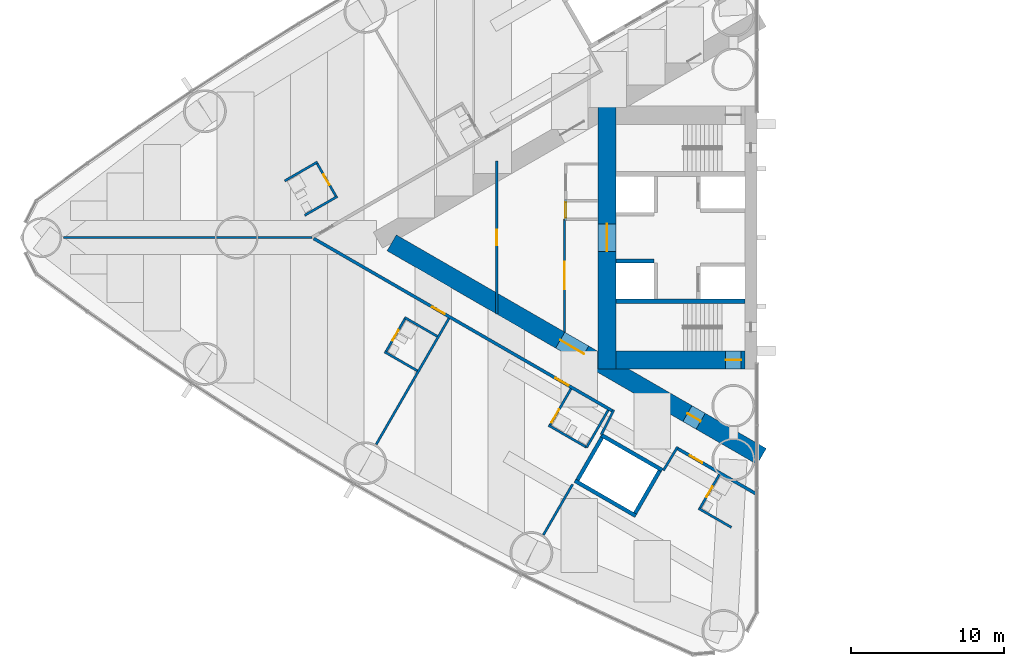
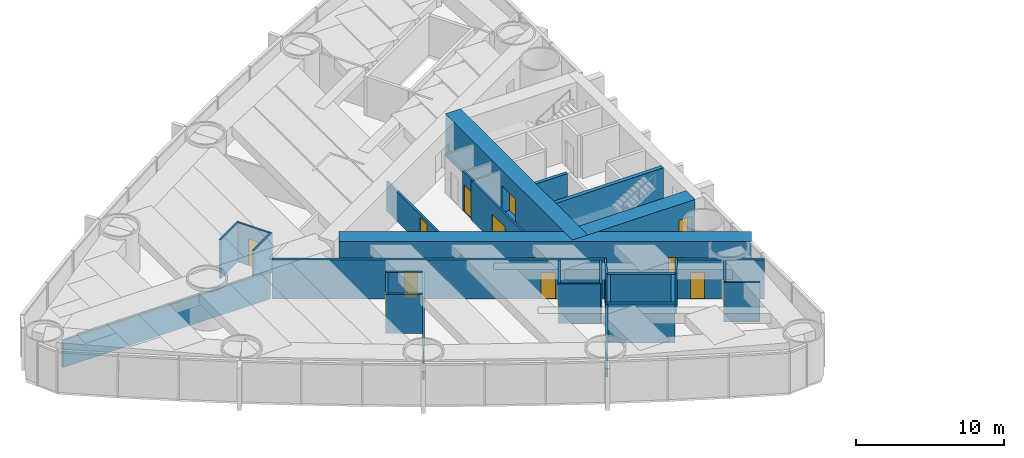
# One storey, part 11 of 18: 30 walls, 14 doors, 14 openings.
"""IFC4 building model written with IfcOpenShell, lengths in metres."""

import ifcopenshell
import ifcopenshell.guid

model = None  # the IFC model being written
_history = None  # IfcOwnerHistory: only IFC2X3 demands one
_inside = {}  # id of a spatial element -> (the spatial element, [elements in it])
_under = {}  # id of a project, library or spatial element -> (it, [spatial elements below it])
_declared = {}  # id of a project -> (the project, [libraries it declares])
_typed = {}  # id of a type object -> (the type object, [elements of that type])
_made_of = {}  # id of a material, layer set ... -> (it, [elements and type objects made of it])


def new_model(schema):
    """Start an empty IFC model of exactly this schema.

    Asked for "IFC4X3", IfcOpenShell would pick the latest addendum, in which some entities
    have other attributes; the version numbers below select the first issue.
    IFC2X3 requires an IfcOwnerHistory on every rooted entity: one is made here for all.
    """
    global model, _history
    if schema == "IFC4X3":
        model = ifcopenshell.file(schema_version=(4, 3, 0, 0))
    else:
        model = ifcopenshell.file(schema=schema)
    _inside.clear()
    _under.clear()
    _declared.clear()
    _typed.clear()
    _made_of.clear()
    _history = None
    if model.schema == "IFC2X3":
        org = make("IfcOrganization", Name="unknown")
        user = make(
            "IfcPersonAndOrganization",
            ThePerson=make("IfcPerson", FamilyName="unknown"),
            TheOrganization=org,
        )
        app = make(
            "IfcApplication",
            ApplicationDeveloper=org,
            Version="unknown",
            ApplicationFullName="unknown",
            ApplicationIdentifier="unknown",
        )
        _history = make(
            "IfcOwnerHistory",
            OwningUser=user,
            OwningApplication=app,
            ChangeAction="ADDED",
            CreationDate=0,
        )
    return model


def make(cls, **values):
    """One entity of the class cls with the attributes given. An attribute that is None is left unset."""
    return model.create_entity(
        cls, **{name: value for name, value in values.items() if value is not None}
    )


def rooted(cls, **values):
    """An entity with a GlobalId (a new one), such as an element, a storey or a relation."""
    return make(cls, GlobalId=ifcopenshell.guid.new(), OwnerHistory=_history, **values)


def si_unit(unit_type, name, prefix=None):
    """IfcSIUnit, for example si_unit("LENGTHUNIT", "METRE", prefix="MILLI")."""
    return make("IfcSIUnit", UnitType=unit_type, Prefix=prefix, Name=name)


def assignment(units):
    """IfcUnitAssignment: the units of a project."""
    return None if units is None else make("IfcUnitAssignment", Units=units)


def point(xyz):
    """IfcCartesianPoint."""
    return None if xyz is None else make("IfcCartesianPoint", Coordinates=xyz)


def direction(xyz):
    """IfcDirection."""
    return None if xyz is None else make("IfcDirection", DirectionRatios=xyz)


def frame(location, z_axis=None, x_axis=None):
    """IfcAxis2Placement3D, a coordinate frame: its origin and axes. An axis left out is left unset."""
    return make(
        "IfcAxis2Placement3D",
        Location=point(location),
        Axis=direction(z_axis),
        RefDirection=direction(x_axis),
    )


def frame_2d(location, x_axis=None):
    """IfcAxis2Placement2D, a coordinate frame in the plane: its origin and x axis."""
    return make(
        "IfcAxis2Placement2D", Location=point(location), RefDirection=direction(x_axis)
    )


def origin():
    """The frame at (0, 0, 0) with its axes left unset."""
    return frame((0.0, 0.0, 0.0))


def place(relative_to, where):
    """IfcLocalPlacement: puts the frame where relative to a parent placement (None: the world)."""
    return make(
        "IfcLocalPlacement", PlacementRelTo=relative_to, RelativePlacement=where
    )


def context(
    kind, dimensions, precision=None, world=None, true_north=None, identifier=None
):
    """IfcGeometricRepresentationContext, for example the 3D "Model" context."""
    return make(
        "IfcGeometricRepresentationContext",
        ContextIdentifier=identifier,
        ContextType=kind,
        CoordinateSpaceDimension=dimensions,
        Precision=precision,
        WorldCoordinateSystem=world,
        TrueNorth=true_north,
    )


def subcontext(parent, identifier, kind, view, scale=None):
    """IfcGeometricRepresentationSubContext, for example "Body" below "Model"."""
    return make(
        "IfcGeometricRepresentationSubContext",
        ContextIdentifier=identifier,
        ContextType=kind,
        ParentContext=parent,
        TargetScale=scale,
        TargetView=view,
    )


def project(units=None, contexts=None):
    """IfcProject with its units and contexts."""
    return rooted(
        "IfcProject",
        Name="project",
        RepresentationContexts=contexts,
        UnitsInContext=assignment(units),
    )


def spatial(cls, under=None, at=None, **own):
    """A site, building, storey or space (cls), placed at a placement, below another one or the project."""
    s = rooted(cls, ObjectPlacement=at, **own)
    if under is not None:
        _under.setdefault(under.id(), (under, []))[1].append(s)
    return s


def profile(cls, at=None, kind="AREA", **sizes):
    """A parametric profile (cls). Its sizes go by their IFC names, for example OverallWidth=200.0."""
    return make(cls, ProfileType=kind, Position=at, **sizes)


def rectangle(**sizes):
    """IfcRectangleProfileDef."""
    return profile("IfcRectangleProfileDef", **sizes)


def extrude(swept, where, along, depth):
    """IfcExtrudedAreaSolid: the profile swept, set in the frame where, extruded along a direction by depth."""
    return make(
        "IfcExtrudedAreaSolid",
        SweptArea=swept,
        Position=where,
        ExtrudedDirection=direction(along),
        Depth=depth,
    )


def shape(context_of_items, identifier, shape_type, items):
    """IfcShapeRepresentation: the items that make up one representation, for example the "Body"."""
    return make(
        "IfcShapeRepresentation",
        ContextOfItems=context_of_items,
        RepresentationIdentifier=identifier,
        RepresentationType=shape_type,
        Items=items,
    )


def material(Name=None, Category=None):
    """IfcMaterial."""
    return make("IfcMaterial", Name=Name, Category=Category)


def layer(
    of_material, thickness, ventilated=None, Name=None, Category=None, Priority=None
):
    """IfcMaterialLayer: one layer of a wall or slab, of a material (None: an air gap)."""
    return make(
        "IfcMaterialLayer",
        Material=of_material,
        LayerThickness=thickness,
        IsVentilated=ventilated,
        Name=Name,
        Category=Category,
        Priority=Priority,
    )


def layer_set(layers, Name=None):
    """IfcMaterialLayerSet."""
    return make("IfcMaterialLayerSet", MaterialLayers=layers, LayerSetName=Name)


def made_of(thing, what):
    """Note that an element or type object is made of a material, layer set ...; save() writes the relation."""
    if what is not None:
        _made_of.setdefault(what.id(), (what, []))[1].append(thing)
    return thing


def type_object(cls, material=None, **own):
    """A type object (cls), such as IfcWallType, which elements share."""
    return made_of(rooted(cls, **own), material)


def element(
    cls,
    number,
    at=None,
    inside=None,
    cuts=None,
    type_object=None,
    material=None,
    context=None,
    identifier="Body",
    shape_type=None,
    held_by="IfcProductDefinitionShape",
    body=None,
    shapes=None,
    **own,
):
    """One element of the class cls, such as IfcWall. Its Tag is "e" and its number.

    at: its placement. inside: the storey or other place that contains it. cuts: it is an
    opening in that element (IfcRelVoidsElement). A single representation is given by context,
    identifier, shape_type and body (its items); several are given by shapes. held_by: the class
    of the entity that holds the representations. save() writes the other relations.
    """
    e = rooted(cls, Tag="e%d" % number, ObjectPlacement=at, **own)
    if body is not None:
        shapes = [shape(context, identifier, shape_type, body)]
    if shapes is not None:
        e.Representation = make(held_by, Representations=shapes)
    if inside is not None:
        _inside.setdefault(inside.id(), (inside, []))[1].append(e)
    if cuts is not None:
        rooted(
            "IfcRelVoidsElement", RelatingBuildingElement=cuts, RelatedOpeningElement=e
        )
    if type_object is not None:
        _typed.setdefault(type_object.id(), (type_object, []))[1].append(e)
    return made_of(e, material)


def fill(opening, filler):
    """IfcRelFillsElement: the door or window that sits in an opening."""
    return rooted(
        "IfcRelFillsElement",
        RelatingOpeningElement=opening,
        RelatedBuildingElement=filler,
    )


def aggregate(whole, parts):
    """IfcRelAggregates: a whole, such as a stair, and the parts it consists of."""
    return rooted("IfcRelAggregates", RelatingObject=whole, RelatedObjects=parts)


def save(model, path):
    """Write the relations noted so far, then the file.

    IfcRelAggregates (storeys below a building ...), IfcRelContainedInSpatialStructure (elements
    in a storey), IfcRelDefinesByType, IfcRelAssociatesMaterial and IfcRelDeclares: one each for
    every whole, place, type object, material and project.
    """
    for whole, parts in _under.values():
        aggregate(whole, parts)
    for where, things in _inside.values():
        rooted(
            "IfcRelContainedInSpatialStructure",
            RelatedElements=things,
            RelatingStructure=where,
        )
    for kind, things in _typed.values():
        rooted("IfcRelDefinesByType", RelatedObjects=things, RelatingType=kind)
    for what, things in _made_of.values():
        rooted("IfcRelAssociatesMaterial", RelatedObjects=things, RelatingMaterial=what)
    for by, libraries in _declared.values():
        rooted("IfcRelDeclares", RelatingContext=by, RelatedDefinitions=libraries)
    model.write(path)


model = new_model("IFC4")

# Units and contexts
model_context = context("Model", 3, precision=1e-05, world=origin(), true_north=direction((0.0, 1.0)))
body_context = subcontext(model_context, "Body", "Model", "MODEL_VIEW")
ifc_project = project(units=[si_unit("LENGTHUNIT", "METRE"), si_unit("AREAUNIT", "SQUARE_METRE"), si_unit("VOLUMEUNIT", "CUBIC_METRE"), si_unit("PLANEANGLEUNIT", "RADIAN"), si_unit("MASSUNIT", "GRAM", prefix="KILO")], contexts=[model_context])

# Site, building, storey
site_placement = place(None, origin())
site = spatial("IfcSite", under=ifc_project, at=site_placement, CompositionType="ELEMENT")
building_placement = place(site_placement, origin())
building = spatial("IfcBuilding", under=site, at=building_placement, Name="Lancet Gate Hotel", CompositionType="ELEMENT")
storey_placement = place(building_placement, frame((0.0, 0.0, 56.5)))
storey = spatial("IfcBuildingStorey", under=building, at=storey_placement, Name="L14", CompositionType="ELEMENT", Elevation=56.5)

# Wall
ifc_material_1 = material(Name="Moisture resistant board partition")
ifc_layer_1 = layer(ifc_material_1, 0.14990234375)
ifc_layer_set_1 = layer_set([ifc_layer_1], Name="Bathroom wall 150")
wall_type_1 = type_object("IfcWallType", Name="Bathroom wall 150", PredefinedType="PARTITIONING", material=ifc_layer_set_1)
wall_1_placement = place(storey_placement, frame((-56.215087890625, 4.938232421875, 0.0), z_axis=(0.0, 0.0, 1.0), x_axis=(-0.866006523861, -0.500032699561, 0.0)))
element("IfcWall", 1, at=wall_1_placement, inside=storey, type_object=wall_type_1, Name="T1 bathroom wall 150 L14", PredefinedType="PARTITIONING", context=body_context, shape_type="SweptSolid", body=[
    extrude(rectangle(XDim=2.474853515625, YDim=0.14990234375, at=frame_2d((1.2373046875, 0.0))), origin(), (0.0, 0.0, 1.0), 3.25),
])

# Wall, opening, door
wall_2_placement = place(storey_placement, frame((-54.97998046875, 2.64892578125, 0.0), z_axis=(0.0, 0.0, 1.0), x_axis=(-0.500006934395, 0.866021400173, 0.0)))
wall_2 = element("IfcWall", 2, at=wall_2_placement, inside=storey, type_object=wall_type_1, Name="T1 bathroom wall 150 L14", PredefinedType="PARTITIONING", context=body_context, shape_type="SweptSolid", body=[
    extrude(rectangle(XDim=2.60009765625, YDim=0.14990234375, at=frame_2d((1.300048828125, 0.0))), origin(), (0.0, 0.0, 1.0), 3.25),
])
opening_1_placement = place(wall_2_placement, frame((0.89990234375, 0.0, 0.0)))
opening_1 = element("IfcOpeningElement", 3, at=opening_1_placement, cuts=wall_2, Name="Opening 1403-B", PredefinedType="OPENING", context=body_context, shape_type="SweptSolid", body=[
    extrude(rectangle(XDim=0.800048828125, YDim=2.199951171875, at=frame_2d((0.39990234375, 1.10009765625))), frame((0.0, 0.0849609375, 0.0), z_axis=(0.0, -1.0, 0.0), x_axis=(1.0, 0.0, 0.0)), (0.0, 0.0, 1.0), 0.169921875),
])
ifc_material_2 = material(Name="Timber door set", Category="wood")
door_type_1 = type_object("IfcDoorType", Name="Bathroom door 800", OperationType="SINGLE_SWING_RIGHT", PredefinedType="DOOR", material=ifc_material_2)
door_1_placement = place(opening_1_placement, origin())
door_1 = element("IfcDoor", 4, at=door_1_placement, inside=storey, type_object=door_type_1, Name="1403-B", OperationType="SINGLE_SWING_RIGHT", OverallHeight=2.199951171875, OverallWidth=0.800048828125, PredefinedType="DOOR", context=body_context, shape_type="SweptSolid", body=[
    extrude(rectangle(XDim=0.800048828125, YDim=2.199951171875, at=frame_2d((0.39990234375, 1.10009765625))), frame((0.0, 0.02490234375, 0.0), z_axis=(0.0, -1.0, 0.0), x_axis=(1.0, 0.0, 0.0)), (0.0, 0.0, 1.0), 0.050048828125),
])
fill(opening_1, door_1)

# Walls
wall_3_placement = place(storey_placement, frame((-54.9150390625, 2.6865234375, 0.0), z_axis=(0.0, 0.0, 1.0), x_axis=(-0.866006523861, -0.500032699561, 0.0)))
element("IfcWall", 5, at=wall_3_placement, inside=storey, type_object=wall_type_1, Name="T1 bathroom wall 150 L14", PredefinedType="PARTITIONING", context=body_context, shape_type="SweptSolid", body=[
    extrude(rectangle(XDim=2.474853515625, YDim=0.14990234375, at=frame_2d((1.2373046875, 0.0))), origin(), (0.0, 0.0, 1.0), 3.25),
])
wall_4_placement = place(storey_placement, frame((-49.691650390625, -8.704345703125, 0.0), z_axis=(0.0, 0.0, 1.0), x_axis=(-0.866073894602, 0.499916002032, 0.0)))
element("IfcWall", 6, at=wall_4_placement, inside=storey, type_object=wall_type_1, Name="T1 bathroom wall 150 L14", PredefinedType="PARTITIONING", context=body_context, shape_type="SweptSolid", body=[
    extrude(rectangle(XDim=2.47509765625, YDim=0.14990234375, at=frame_2d((1.237548828125, 0.0))), origin(), (0.0, 0.0, 1.0), 3.25),
])

# Wall, opening, door
wall_5_placement = place(storey_placement, frame((-50.47021484375, -5.252685546875, 0.0), z_axis=(0.0, 0.0, 1.0), x_axis=(-0.500006934395, -0.866021400173, 0.0)))
wall_5 = element("IfcWall", 7, at=wall_5_placement, inside=storey, type_object=wall_type_1, Name="T1 bathroom wall 150 L14", PredefinedType="PARTITIONING", context=body_context, shape_type="SweptSolid", body=[
    extrude(rectangle(XDim=2.60009765625, YDim=0.14990234375, at=frame_2d((1.300048828125, 0.0))), origin(), (0.0, 0.0, 1.0), 3.25),
])
opening_2_placement = place(wall_5_placement, frame((0.89990234375, 0.0, 0.0)))
opening_2 = element("IfcOpeningElement", 8, at=opening_2_placement, cuts=wall_5, Name="Opening 1405-B", PredefinedType="OPENING", context=body_context, shape_type="SweptSolid", body=[
    extrude(rectangle(XDim=0.800048828125, YDim=2.199951171875, at=frame_2d((0.39990234375, 1.10009765625))), frame((0.0, 0.0849609375, 0.0), z_axis=(0.0, -1.0, 0.0), x_axis=(1.0, 0.0, 0.0)), (0.0, 0.0, 1.0), 0.169921875),
])
door_2_placement = place(opening_2_placement, origin())
door_2 = element("IfcDoor", 9, at=door_2_placement, inside=storey, type_object=door_type_1, Name="1405-B", OperationType="SINGLE_SWING_RIGHT", OverallHeight=2.199951171875, OverallWidth=0.800048828125, PredefinedType="DOOR", context=body_context, shape_type="SweptSolid", body=[
    extrude(rectangle(XDim=0.800048828125, YDim=2.199951171875, at=frame_2d((0.39990234375, 1.10009765625))), frame((0.0, 0.02490234375, 0.0), z_axis=(0.0, -1.0, 0.0), x_axis=(1.0, 0.0, 0.0)), (0.0, 0.0, 1.0), 0.050048828125),
])
fill(opening_2, door_2)

# Walls
wall_6_placement = place(storey_placement, frame((-48.391845703125, -6.45263671875, 0.0), z_axis=(0.0, 0.0, 1.0), x_axis=(-0.86604923931, 0.499958713387, 0.0)))
element("IfcWall", 10, at=wall_6_placement, inside=storey, type_object=wall_type_1, Name="T1 bathroom wall 150 L14", PredefinedType="PARTITIONING", context=body_context, shape_type="SweptSolid", body=[
    extrude(rectangle(XDim=2.474853515625, YDim=0.14990234375, at=frame_2d((1.2373046875, 0.0))), origin(), (0.0, 0.0, 1.0), 3.25),
])
wall_7_placement = place(storey_placement, frame((-38.630126953125, -13.705322265625, 0.0), z_axis=(0.0, 0.0, 1.0), x_axis=(-0.866018712932, 0.500011588718, 0.0)))
element("IfcWall", 11, at=wall_7_placement, inside=storey, type_object=wall_type_1, Name="T1 bathroom wall 150 L14", PredefinedType="PARTITIONING", context=body_context, shape_type="SweptSolid", body=[
    extrude(rectangle(XDim=2.875, YDim=0.14990234375, at=frame_2d((1.4375, 0.0))), origin(), (0.0, 0.0, 1.0), 3.25),
])

# Wall, opening, door
wall_8_placement = place(storey_placement, frame((-39.65478515625, -9.88037109375, 0.0), z_axis=(0.0, 0.0, 1.0), x_axis=(-0.500049511043, -0.865996816683, 0.0)))
wall_8 = element("IfcWall", 12, at=wall_8_placement, inside=storey, type_object=wall_type_1, Name="T1 bathroom wall 150 L14", PredefinedType="PARTITIONING", context=body_context, shape_type="SweptSolid", body=[
    extrude(rectangle(XDim=2.800048828125, YDim=0.14990234375, at=frame_2d((1.39990234375, 0.0))), origin(), (0.0, 0.0, 1.0), 3.25),
])
opening_3_placement = place(wall_8_placement, frame((1.550048828125, 0.0, 0.0)))
opening_3 = element("IfcOpeningElement", 13, at=opening_3_placement, cuts=wall_8, Name="Opening 1407-B", PredefinedType="OPENING", context=body_context, shape_type="SweptSolid", body=[
    extrude(rectangle(XDim=1.0, YDim=2.199951171875, at=frame_2d((0.5, 1.10009765625))), frame((0.0, 0.0849609375, 0.0), z_axis=(0.0, -1.0, 0.0), x_axis=(1.0, 0.0, 0.0)), (0.0, 0.0, 1.0), 0.169921875),
])
ifc_material_3 = material(Name="Timber door set", Category="wood")
door_type_2 = type_object("IfcDoorType", Name="Accessible en-suite door 1000", OperationType="SINGLE_SWING_RIGHT", PredefinedType="DOOR", material=ifc_material_3)
door_3_placement = place(opening_3_placement, origin())
door_3 = element("IfcDoor", 14, at=door_3_placement, inside=storey, type_object=door_type_2, Name="1407-B", OperationType="SINGLE_SWING_RIGHT", OverallHeight=2.199951171875, OverallWidth=1.0, PredefinedType="DOOR", context=body_context, shape_type="SweptSolid", body=[
    extrude(rectangle(XDim=1.0, YDim=2.199951171875, at=frame_2d((0.5, 1.10009765625))), frame((0.0, 0.02490234375, 0.0), z_axis=(0.0, -1.0, 0.0), x_axis=(1.0, 0.0, 0.0)), (0.0, 0.0, 1.0), 0.050048828125),
])
fill(opening_3, door_3)

# Walls
wall_9_placement = place(storey_placement, frame((-37.22998046875, -11.280517578125, 0.0), z_axis=(0.0, 0.0, 1.0), x_axis=(-0.500049511043, -0.865996816683, 0.0)))
element("IfcWall", 15, at=wall_9_placement, inside=storey, type_object=wall_type_1, Name="T1 bathroom wall 150 L14", PredefinedType="PARTITIONING", context=body_context, shape_type="SweptSolid", body=[
    extrude(rectangle(XDim=2.800048828125, YDim=0.14990234375, at=frame_2d((1.39990234375, 0.0))), origin(), (0.0, 0.0, 1.0), 3.25),
])
wall_10_placement = place(storey_placement, frame((-29.181884765625, -18.92919921875, 0.0), z_axis=(0.0, 0.0, 1.0), x_axis=(-0.866006523861, 0.500032699561, 0.0)))
element("IfcWall", 16, at=wall_10_placement, inside=storey, type_object=wall_type_1, Name="T1 bathroom wall 150 L14", PredefinedType="PARTITIONING", context=body_context, shape_type="SweptSolid", body=[
    extrude(rectangle(XDim=2.474853515625, YDim=0.14990234375, at=frame_2d((1.2373046875, 0.0))), origin(), (0.0, 0.0, 1.0), 3.25),
])

# Wall, opening, door
wall_11_placement = place(storey_placement, frame((-29.960205078125, -15.4775390625, 0.0), z_axis=(0.0, 0.0, 1.0), x_axis=(-0.500006934395, -0.866021400173, 0.0)))
wall_11 = element("IfcWall", 17, at=wall_11_placement, inside=storey, type_object=wall_type_1, Name="T1 bathroom wall 150 L14", PredefinedType="PARTITIONING", context=body_context, shape_type="SweptSolid", body=[
    extrude(rectangle(XDim=2.60009765625, YDim=0.14990234375, at=frame_2d((1.300048828125, 0.0))), origin(), (0.0, 0.0, 1.0), 3.25),
])
opening_4_placement = place(wall_11_placement, frame((0.89990234375, 0.0, 0.0)))
opening_4 = element("IfcOpeningElement", 18, at=opening_4_placement, cuts=wall_11, Name="Opening 1408-B", PredefinedType="OPENING", context=body_context, shape_type="SweptSolid", body=[
    extrude(rectangle(XDim=0.800048828125, YDim=2.199951171875, at=frame_2d((0.39990234375, 1.10009765625))), frame((0.0, 0.0849609375, 0.0), z_axis=(0.0, -1.0, 0.0), x_axis=(1.0, 0.0, 0.0)), (0.0, 0.0, 1.0), 0.169921875),
])
door_4_placement = place(opening_4_placement, origin())
door_4 = element("IfcDoor", 19, at=door_4_placement, inside=storey, type_object=door_type_1, Name="1408-B", OperationType="SINGLE_SWING_RIGHT", OverallHeight=2.199951171875, OverallWidth=0.800048828125, PredefinedType="DOOR", context=body_context, shape_type="SweptSolid", body=[
    extrude(rectangle(XDim=0.800048828125, YDim=2.199951171875, at=frame_2d((0.39990234375, 1.10009765625))), frame((0.0, 0.02490234375, 0.0), z_axis=(0.0, -1.0, 0.0), x_axis=(1.0, 0.0, 0.0)), (0.0, 0.0, 1.0), 0.050048828125),
])
fill(opening_4, door_4)

# Wall, openings, doors
ifc_material_4 = material(Name="Concrete C70/85", Category="concrete")
ifc_layer_2 = layer(ifc_material_4, 1.199951171875)
ifc_layer_set_2 = layer_set([ifc_layer_2], Name="Buttress wall 1200")
wall_type_2 = type_object("IfcWallType", Name="Buttress wall 1200", PredefinedType="SHEAR", material=ifc_layer_set_2)
wall_12_placement = place(storey_placement, frame((-27.199951171875, -14.300048828125, 0.0), z_axis=(0.0, 0.0, 1.0), x_axis=(-0.866024021859, 0.500002393557, 0.0)))
wall_12 = element("IfcWall", 20, at=wall_12_placement, inside=storey, type_object=wall_type_2, Name="T1 buttress wall N L14", PredefinedType="SHEAR", context=body_context, shape_type="SweptSolid", body=[
    extrude(rectangle(XDim=27.906982421875, YDim=1.199951171875, at=frame_2d((13.95361328125, 0.0))), origin(), (0.0, 0.0, 1.0), 3.5),
])
opening_5_placement = place(wall_12_placement, frame((4.60009765625, 0.0, 0.0)))
opening_5 = element("IfcOpeningElement", 21, at=opening_5_placement, cuts=wall_12, Name="Opening T1-L14-LN", PredefinedType="OPENING", context=body_context, shape_type="SweptSolid", body=[
    extrude(rectangle(XDim=1.0, YDim=2.199951171875, at=frame_2d((0.5, 1.10009765625))), frame((0.0, 0.60986328125, 0.0), z_axis=(0.0, -1.0, 0.0), x_axis=(1.0, 0.0, 0.0)), (0.0, 0.0, 1.0), 1.219970703125),
])
opening_6_placement = place(wall_12_placement, frame((13.39453125, 0.0, 0.0)))
opening_6 = element("IfcOpeningElement", 22, at=opening_6_placement, cuts=wall_12, Name="Opening T1-L14-LHN", PredefinedType="OPENING", context=body_context, shape_type="SweptSolid", body=[
    extrude(rectangle(XDim=1.800048828125, YDim=2.199951171875, at=frame_2d((0.89990234375, 1.10009765625))), frame((0.0, 0.60986328125, 0.0), z_axis=(0.0, -1.0, 0.0), x_axis=(1.0, 0.0, 0.0)), (0.0, 0.0, 1.0), 1.219970703125),
])
ifc_material_5 = material(Name="Timber door set", Category="wood")
door_type_3 = type_object("IfcDoorType", Name="Lobby double door 1800", OperationType="DOUBLE_DOOR_SINGLE_SWING", PredefinedType="DOOR", material=ifc_material_5)
door_5_placement = place(opening_6_placement, origin())
door_5 = element("IfcDoor", 23, at=door_5_placement, inside=storey, type_object=door_type_3, Name="T1-L14-LHN", OperationType="DOUBLE_DOOR_SINGLE_SWING", OverallHeight=2.199951171875, OverallWidth=1.800048828125, PredefinedType="DOOR", context=body_context, shape_type="SweptSolid", body=[
    extrude(rectangle(XDim=1.800048828125, YDim=2.199951171875, at=frame_2d((0.89990234375, 1.10009765625))), frame((0.0, 0.02490234375, 0.0), z_axis=(0.0, -1.0, 0.0), x_axis=(1.0, 0.0, 0.0)), (0.0, 0.0, 1.0), 0.050048828125),
])
fill(opening_6, door_5)
ifc_material_6 = material(Name="Timber door set", Category="wood")
door_type_4 = type_object("IfcDoorType", Name="Stair lobby door 1000", OperationType="SINGLE_SWING_LEFT", PredefinedType="DOOR", material=ifc_material_6)
door_6_placement = place(opening_5_placement, origin())
door_6 = element("IfcDoor", 24, at=door_6_placement, inside=storey, type_object=door_type_4, Name="T1-L14-LN", OperationType="SINGLE_SWING_LEFT", OverallHeight=2.199951171875, OverallWidth=1.0, PredefinedType="DOOR", context=body_context, shape_type="SweptSolid", body=[
    extrude(rectangle(XDim=1.0, YDim=2.199951171875, at=frame_2d((0.5, 1.10009765625))), frame((0.0, 0.02490234375, 0.0), z_axis=(0.0, -1.0, 0.0), x_axis=(1.0, 0.0, 0.0)), (0.0, 0.0, 1.0), 0.050048828125),
])
fill(opening_5, door_6)

# Wall, opening, door
ifc_material_7 = material(Name="Concrete C70/85", Category="concrete")
ifc_layer_3 = layer(ifc_material_7, 1.199951171875)
ifc_layer_set_3 = layer_set([ifc_layer_3], Name="Core wall 1200")
wall_type_3 = type_object("IfcWallType", Name="Core wall 1200", PredefinedType="SHEAR", material=ifc_layer_set_3)
wall_13_placement = place(storey_placement, frame((-37.300048828125, 8.60009765625, 0.0), z_axis=(0.0, 0.0, 1.0), x_axis=(0.0, -1.0, 0.0)))
wall_13 = element("IfcWall", 25, at=wall_13_placement, inside=storey, type_object=wall_type_3, Name="T1 core wall back L14", PredefinedType="SHEAR", context=body_context, shape_type="SweptSolid", body=[
    extrude(rectangle(XDim=17.2001953125, YDim=1.199951171875, at=frame_2d((8.60009765625, 0.0))), origin(), (0.0, 0.0, 1.0), 3.5),
])
opening_7_placement = place(wall_13_placement, frame((7.699951171875, 0.0, 0.0)))
opening_7 = element("IfcOpeningElement", 26, at=opening_7_placement, cuts=wall_13, Name="Opening T1-L14-LL", PredefinedType="OPENING", context=body_context, shape_type="SweptSolid", body=[
    extrude(rectangle(XDim=1.800048828125, YDim=2.199951171875, at=frame_2d((0.89990234375, 1.10009765625))), frame((0.0, 0.60986328125, 0.0), z_axis=(0.0, -1.0, 0.0), x_axis=(1.0, 0.0, 0.0)), (0.0, 0.0, 1.0), 1.219970703125),
])
door_7_placement = place(opening_7_placement, origin())
door_7 = element("IfcDoor", 27, at=door_7_placement, inside=storey, type_object=door_type_3, Name="T1-L14-LL", OperationType="DOUBLE_DOOR_SINGLE_SWING", OverallHeight=2.199951171875, OverallWidth=1.800048828125, PredefinedType="DOOR", context=body_context, shape_type="SweptSolid", body=[
    extrude(rectangle(XDim=1.800048828125, YDim=2.199951171875, at=frame_2d((0.89990234375, 1.10009765625))), frame((0.0, 0.02490234375, 0.0), z_axis=(0.0, -1.0, 0.0), x_axis=(1.0, 0.0, 0.0)), (0.0, 0.0, 1.0), 0.050048828125),
])
fill(opening_7, door_7)

wall_14_placement = place(storey_placement, frame((-28.300048828125, -8.0, 0.0), z_axis=(0.0, 0.0, 1.0), x_axis=(-1.0, 0.0, 0.0)))
wall_14 = element("IfcWall", 28, at=wall_14_placement, inside=storey, type_object=wall_type_3, Name="T1 core wall side-N L14", PredefinedType="SHEAR", context=body_context, shape_type="SweptSolid", body=[
    extrude(rectangle(XDim=8.39990234375, YDim=1.199951171875, at=frame_2d((4.199951171875, 0.0))), origin(), (0.0, 0.0, 1.0), 3.5),
])
opening_8_placement = place(wall_14_placement, frame((0.25, 0.0, 0.0)))
opening_8 = element("IfcOpeningElement", 29, at=opening_8_placement, cuts=wall_14, Name="Opening T1-L14-ST2", PredefinedType="OPENING", context=body_context, shape_type="SweptSolid", body=[
    extrude(rectangle(XDim=1.0, YDim=2.199951171875, at=frame_2d((0.5, 1.10009765625))), frame((0.0, 0.60986328125, 0.0), z_axis=(0.0, -1.0, 0.0), x_axis=(1.0, 0.0, 0.0)), (0.0, 0.0, 1.0), 1.219970703125),
])
ifc_material_8 = material(Name="Timber door set", Category="wood")
door_type_5 = type_object("IfcDoorType", Name="Stair door 1000", OperationType="SINGLE_SWING_RIGHT", PredefinedType="DOOR", material=ifc_material_8)
door_8_placement = place(opening_8_placement, origin())
door_8 = element("IfcDoor", 30, at=door_8_placement, inside=storey, type_object=door_type_5, Name="T1-L14-ST2", OperationType="SINGLE_SWING_RIGHT", OverallHeight=2.199951171875, OverallWidth=1.0, PredefinedType="DOOR", context=body_context, shape_type="SweptSolid", body=[
    extrude(rectangle(XDim=1.0, YDim=2.199951171875, at=frame_2d((0.5, 1.10009765625))), frame((0.0, 0.02490234375, 0.0), z_axis=(0.0, -1.0, 0.0), x_axis=(1.0, 0.0, 0.0)), (0.0, 0.0, 1.0), 0.050048828125),
])
fill(opening_8, door_8)

ifc_material_9 = material(Name="Gypsum board partition")
ifc_layer_4 = layer(ifc_material_9, 0.199951171875)
ifc_layer_set_4 = layer_set([ifc_layer_4], Name="Corridor wall 200")
wall_type_4 = type_object("IfcWallType", Name="Corridor wall 200", PredefinedType="PARTITIONING", material=ifc_layer_set_4)
wall_15_placement = place(storey_placement, frame((-27.572021484375, -16.740966796875, 0.0), z_axis=(0.0, 0.0, 1.0), x_axis=(-0.866024464444, 0.500001626982, 0.0)))
wall_15 = element("IfcWall", 31, at=wall_15_placement, inside=storey, type_object=wall_type_4, Name="T1 corridor wall 200 L14", PredefinedType="PARTITIONING", context=body_context, shape_type="SweptSolid", body=[
    extrude(rectangle(XDim=5.955078125, YDim=0.199951171875, at=frame_2d((2.9775390625, 0.0))), origin(), (0.0, 0.0, 1.0), 3.25),
])
opening_9_placement = place(wall_15_placement, frame((4.050048828125, 0.0, 0.0)))
opening_9 = element("IfcOpeningElement", 32, at=opening_9_placement, cuts=wall_15, Name="Opening 1408-E", PredefinedType="OPENING", context=body_context, shape_type="SweptSolid", body=[
    extrude(rectangle(XDim=0.949951171875, YDim=2.199951171875, at=frame_2d((0.47509765625, 1.10009765625))), frame((0.0, 0.10986328125, 0.0), z_axis=(0.0, -1.0, 0.0), x_axis=(1.0, 0.0, 0.0)), (0.0, 0.0, 1.0), 0.219970703125),
])
ifc_material_10 = material(Name="Timber door set", Category="wood")
door_type_6 = type_object("IfcDoorType", Name="Guest room entry door 950", OperationType="SINGLE_SWING_LEFT", PredefinedType="DOOR", material=ifc_material_10)
door_9_placement = place(opening_9_placement, origin())
door_9 = element("IfcDoor", 33, at=door_9_placement, inside=storey, type_object=door_type_6, Name="1408-E", OperationType="SINGLE_SWING_LEFT", OverallHeight=2.199951171875, OverallWidth=0.949951171875, PredefinedType="DOOR", context=body_context, shape_type="SweptSolid", body=[
    extrude(rectangle(XDim=0.949951171875, YDim=2.199951171875, at=frame_2d((0.47509765625, 1.10009765625))), frame((0.0, 0.02490234375, 0.0), z_axis=(0.0, -1.0, 0.0), x_axis=(1.0, 0.0, 0.0)), (0.0, 0.0, 1.0), 0.050048828125),
])
fill(opening_9, door_9)

# Wall, openings, doors
wall_16_placement = place(storey_placement, frame((-36.920166015625, -11.34375, 0.0), z_axis=(0.0, 0.0, 1.0), x_axis=(-0.866028313256, 0.499994960614, 0.0)))
wall_16 = element("IfcWall", 34, at=wall_16_placement, inside=storey, type_object=wall_type_4, Name="T1 corridor wall 200 L14", PredefinedType="PARTITIONING", context=body_context, shape_type="SweptSolid", body=[
    extrude(rectangle(XDim=22.567626953125, YDim=0.199951171875, at=frame_2d((11.28369140625, 0.0))), origin(), (0.0, 0.0, 1.0), 3.25),
])
opening_10_placement = place(wall_16_placement, frame((12.68017578125, 0.0, 0.0)))
opening_10 = element("IfcOpeningElement", 35, at=opening_10_placement, cuts=wall_16, Name="Opening 1405-E", PredefinedType="OPENING", context=body_context, shape_type="SweptSolid", body=[
    extrude(rectangle(XDim=0.949951171875, YDim=2.199951171875, at=frame_2d((0.47509765625, 1.10009765625))), frame((0.0, 0.10986328125, 0.0), z_axis=(0.0, -1.0, 0.0), x_axis=(1.0, 0.0, 0.0)), (0.0, 0.0, 1.0), 0.219970703125),
])
opening_11_placement = place(wall_16_placement, frame((3.35009765625, 0.0, 0.0)))
opening_11 = element("IfcOpeningElement", 36, at=opening_11_placement, cuts=wall_16, Name="Opening 1407-E", PredefinedType="OPENING", context=body_context, shape_type="SweptSolid", body=[
    extrude(rectangle(XDim=1.0, YDim=2.199951171875, at=frame_2d((0.5, 1.10009765625))), frame((0.0, 0.10986328125, 0.0), z_axis=(0.0, -1.0, 0.0), x_axis=(1.0, 0.0, 0.0)), (0.0, 0.0, 1.0), 0.219970703125),
])
ifc_material_11 = material(Name="Timber door set", Category="wood")
door_type_7 = type_object("IfcDoorType", Name="Accessible guest room door 1000", OperationType="SINGLE_SWING_LEFT", PredefinedType="DOOR", material=ifc_material_11)
door_10_placement = place(opening_11_placement, origin())
door_10 = element("IfcDoor", 37, at=door_10_placement, inside=storey, type_object=door_type_7, Name="1407-E", OperationType="SINGLE_SWING_LEFT", OverallHeight=2.199951171875, OverallWidth=1.0, PredefinedType="DOOR", context=body_context, shape_type="SweptSolid", body=[
    extrude(rectangle(XDim=1.0, YDim=2.199951171875, at=frame_2d((0.5, 1.10009765625))), frame((0.0, 0.02490234375, 0.0), z_axis=(0.0, -1.0, 0.0), x_axis=(1.0, 0.0, 0.0)), (0.0, 0.0, 1.0), 0.050048828125),
])
fill(opening_11, door_10)
door_11_placement = place(opening_10_placement, origin())
door_11 = element("IfcDoor", 38, at=door_11_placement, inside=storey, type_object=door_type_6, Name="1405-E", OperationType="SINGLE_SWING_LEFT", OverallHeight=2.199951171875, OverallWidth=0.949951171875, PredefinedType="DOOR", context=body_context, shape_type="SweptSolid", body=[
    extrude(rectangle(XDim=0.949951171875, YDim=2.199951171875, at=frame_2d((0.47509765625, 1.10009765625))), frame((0.0, 0.02490234375, 0.0), z_axis=(0.0, -1.0, 0.0), x_axis=(1.0, 0.0, 0.0)), (0.0, 0.0, 1.0), 0.050048828125),
])
fill(opening_10, door_11)

# Walls
ifc_material_12 = material(Name="Gypsum board partition")
ifc_layer_5 = layer(ifc_material_12, 0.25)
ifc_layer_set_5 = layer_set([ifc_layer_5], Name="Lift shaft partition 250")
wall_type_5 = type_object("IfcWallType", Name="Lift shaft partition 250", PredefinedType="PARTITIONING", material=ifc_layer_set_5)
wall_17_placement = place(storey_placement, frame((-33.695556640625, -15.197265625, 0.0), z_axis=(0.0, 0.0, 1.0), x_axis=(-0.865976953817, 0.500083908417, 0.0)))
element("IfcWall", 39, at=wall_17_placement, inside=storey, type_object=wall_type_5, Name="T1 lift shaft wall EX L14", PredefinedType="PARTITIONING", context=body_context, shape_type="SweptSolid", body=[
    extrude(rectangle(XDim=4.599365234375, YDim=0.25, at=frame_2d((2.2998046875, 0.0))), origin(), (0.0, 0.0, 1.0), 3.25),
])
wall_18_placement = place(storey_placement, frame((-35.42041015625, -18.185791015625, 0.0), z_axis=(0.0, 0.0, 1.0), x_axis=(-0.865990227814, 0.50006092162, 0.0)))
element("IfcWall", 40, at=wall_18_placement, inside=storey, type_object=wall_type_5, Name="T1 lift shaft wall EX L14", PredefinedType="PARTITIONING", context=body_context, shape_type="SweptSolid", body=[
    extrude(rectangle(XDim=4.599609375, YDim=0.25, at=frame_2d((2.2998046875, 0.0))), origin(), (0.0, 0.0, 1.0), 3.25),
])
wall_19_placement = place(storey_placement, frame((-33.8662109375, -15.242919921875, 0.0), z_axis=(0.0, 0.0, 1.0), x_axis=(-0.499929347863, -0.866066190972, 0.0)))
element("IfcWall", 41, at=wall_19_placement, inside=storey, type_object=wall_type_5, Name="T1 lift shaft wall EX L14", PredefinedType="PARTITIONING", context=body_context, shape_type="SweptSolid", body=[
    extrude(rectangle(XDim=3.20068359375, YDim=0.25, at=frame_2d((1.600341796875, 0.0))), origin(), (0.0, 0.0, 1.0), 3.25),
])
wall_20_placement = place(storey_placement, frame((-37.6328125, -13.068115234375, 0.0), z_axis=(0.0, 0.0, 1.0), x_axis=(-0.499872130319, -0.866099216793, 0.0)))
element("IfcWall", 42, at=wall_20_placement, inside=storey, type_object=wall_type_5, Name="T1 lift shaft wall EX L14", PredefinedType="PARTITIONING", context=body_context, shape_type="SweptSolid", body=[
    extrude(rectangle(XDim=3.200439453125, YDim=0.25, at=frame_2d((1.60009765625, 0.0))), origin(), (0.0, 0.0, 1.0), 3.25),
])
ifc_material_13 = material(Name="Concrete C50/60", Category="concrete")
ifc_layer_6 = layer(ifc_material_13, 0.25)
ifc_layer_set_6 = layer_set([ifc_layer_6], Name="Lift shaft wall 250")
wall_type_6 = type_object("IfcWallType", Name="Lift shaft wall 250", PredefinedType="SHEAR", material=ifc_layer_set_6)
wall_21_placement = place(storey_placement, frame((-34.25, -1.52490234375, 0.0), z_axis=(0.0, 0.0, 1.0), x_axis=(-1.0, 0.0, 0.0)))
element("IfcWall", 43, at=wall_21_placement, inside=storey, type_object=wall_type_6, Name="T1 core wall pass2-N L14", PredefinedType="SHEAR", context=body_context, shape_type="SweptSolid", body=[
    extrude(rectangle(XDim=2.449951171875, YDim=0.25, at=frame_2d((1.22509765625, 0.0))), origin(), (0.0, 0.0, 1.0), 3.5),
])
ifc_material_14 = material(Name="Gypsum board partition")
ifc_layer_7 = layer(ifc_material_14, 0.14990234375)
ifc_layer_set_7 = layer_set([ifc_layer_7], Name="Party wall 150")
wall_type_7 = type_object("IfcWallType", Name="Party wall 150", PredefinedType="PARTITIONING", material=ifc_layer_set_7)
wall_22_placement = place(storey_placement, frame((-47.626708984375, -5.27783203125, 0.0), z_axis=(0.0, 0.0, 1.0), x_axis=(-0.500009844318, -0.86601972009, 0.0)))
element("IfcWall", 44, at=wall_22_placement, inside=storey, type_object=wall_type_7, Name="T1 party wall 150 L14", PredefinedType="PARTITIONING", context=body_context, shape_type="SweptSolid", body=[
    extrude(rectangle(XDim=9.510498046875, YDim=0.14990234375, at=frame_2d((4.75537109375, 0.0))), origin(), (0.0, 0.0, 1.0), 2.25),
])
wall_23_placement = place(storey_placement, frame((-56.568359375, 0.0, 0.0), z_axis=(0.0, 0.0, 1.0), x_axis=(-1.0, 0.0, 0.0)))
element("IfcWall", 45, at=wall_23_placement, inside=storey, type_object=wall_type_7, Name="T1 party wall 150 L14", PredefinedType="PARTITIONING", context=body_context, shape_type="SweptSolid", body=[
    extrude(rectangle(XDim=16.246826171875, YDim=0.14990234375, at=frame_2d((8.12353515625, 0.0))), origin(), (0.0, 0.0, 1.0), 2.25),
])
wall_24_placement = place(storey_placement, frame((-39.55078125, -16.118408203125, 0.0), z_axis=(0.0, 0.0, 1.0), x_axis=(-0.499986503906, -0.866033195618, 0.0)))
element("IfcWall", 46, at=wall_24_placement, inside=storey, type_object=wall_type_7, Name="T1 party wall 150 L14", PredefinedType="PARTITIONING", context=body_context, shape_type="SweptSolid", body=[
    extrude(rectangle(XDim=3.81494140625, YDim=0.14990234375, at=frame_2d((1.907470703125, 0.0))), origin(), (0.0, 0.0, 1.0), 3.25),
])
ifc_material_15 = material(Name="Gypsum board partition")
ifc_layer_8 = layer(ifc_material_15, 0.14990234375)
ifc_layer_set_8 = layer_set([ifc_layer_8], Name="Service room wall 150")
wall_type_8 = type_object("IfcWallType", Name="Service room wall 150", PredefinedType="PARTITIONING", material=ifc_layer_set_8)
wall_25_placement = place(storey_placement, frame((-36.857177734375, -11.2646484375, 0.0), z_axis=(0.0, 0.0, 1.0), x_axis=(-0.454225294761, -0.890886851176, 0.0)))
element("IfcWall", 47, at=wall_25_placement, inside=storey, type_object=wall_type_8, Name="T1 service room wall 150 L14", PredefinedType="PARTITIONING", context=body_context, shape_type="SweptSolid", body=[
    extrude(rectangle(XDim=1.80712890625, YDim=0.14990234375, at=frame_2d((0.903564453125, 0.0))), origin(), (0.0, 0.0, 1.0), 3.25),
])
wall_26_placement = place(storey_placement, frame((-33.62060546875, -15.217529296875, 0.0), z_axis=(0.0, 0.0, 1.0), x_axis=(0.514336634837, 0.857588377991, 0.0)))
element("IfcWall", 48, at=wall_26_placement, inside=storey, type_object=wall_type_8, Name="T1 service room wall 150 L14", PredefinedType="PARTITIONING", context=body_context, shape_type="SweptSolid", body=[
    extrude(rectangle(XDim=1.80517578125, YDim=0.14990234375, at=frame_2d((0.902587890625, 0.0))), origin(), (0.0, 0.0, 1.0), 3.25),
])

# Wall, opening, door
wall_27_placement = place(storey_placement, frame((-40.0, 2.47509765625, 0.0), z_axis=(0.0, 0.0, 1.0), x_axis=(0.0, -1.0, 0.0)))
wall_27 = element("IfcWall", 49, at=wall_27_placement, inside=storey, type_object=wall_type_8, Name="T1 service room wall 150 L14", PredefinedType="PARTITIONING", context=body_context, shape_type="SweptSolid", body=[
    extrude(rectangle(XDim=1.35009765625, YDim=0.14990234375, at=frame_2d((0.675048828125, 0.0))), origin(), (0.0, 0.0, 1.0), 3.25),
])
opening_12_placement = place(wall_27_placement, frame((0.175048828125, 0.0, 0.0)))
opening_12 = element("IfcOpeningElement", 50, at=opening_12_placement, cuts=wall_27, Name="Opening T1-L14-HRS0", PredefinedType="OPENING", context=body_context, shape_type="SweptSolid", body=[
    extrude(rectangle(XDim=1.0, YDim=2.199951171875, at=frame_2d((0.5, 1.10009765625))), frame((0.0, 0.0849609375, 0.0), z_axis=(0.0, -1.0, 0.0), x_axis=(1.0, 0.0, 0.0)), (0.0, 0.0, 1.0), 0.169921875),
])
ifc_material_16 = material(Name="Timber door set", Category="wood")
door_type_8 = type_object("IfcDoorType", Name="Service door 1000", OperationType="SINGLE_SWING_LEFT", PredefinedType="DOOR", material=ifc_material_16)
door_12_placement = place(opening_12_placement, origin())
door_12 = element("IfcDoor", 51, at=door_12_placement, inside=storey, type_object=door_type_8, Name="T1-L14-HRS0", OperationType="SINGLE_SWING_LEFT", OverallHeight=2.199951171875, OverallWidth=1.0, PredefinedType="DOOR", context=body_context, shape_type="SweptSolid", body=[
    extrude(rectangle(XDim=1.0, YDim=2.199951171875, at=frame_2d((0.5, 1.10009765625))), frame((0.0, 0.02490234375, 0.0), z_axis=(0.0, -1.0, 0.0), x_axis=(1.0, 0.0, 0.0)), (0.0, 0.0, 1.0), 0.050048828125),
])
fill(opening_12, door_12)

wall_28_placement = place(storey_placement, frame((-40.074951171875, 1.199951171875, 0.0), z_axis=(0.0, 0.0, 1.0), x_axis=(0.0, -1.0, 0.0)))
wall_28 = element("IfcWall", 52, at=wall_28_placement, inside=storey, type_object=wall_type_8, Name="T1 service room wall 150 L14", PredefinedType="PARTITIONING", context=body_context, shape_type="SweptSolid", body=[
    extrude(rectangle(XDim=7.373779296875, YDim=0.14990234375, at=frame_2d((3.68701171875, 0.0))), origin(), (0.0, 0.0, 1.0), 3.25),
])
opening_13_placement = place(wall_28_placement, frame((2.786865234375, 0.0, 0.0)))
opening_13 = element("IfcOpeningElement", 53, at=opening_13_placement, cuts=wall_28, Name="Opening T1-L14-LH", PredefinedType="OPENING", context=body_context, shape_type="SweptSolid", body=[
    extrude(rectangle(XDim=1.800048828125, YDim=2.199951171875, at=frame_2d((0.89990234375, 1.10009765625))), frame((0.0, 0.0849609375, 0.0), z_axis=(0.0, -1.0, 0.0), x_axis=(1.0, 0.0, 0.0)), (0.0, 0.0, 1.0), 0.169921875),
])
door_13_placement = place(opening_13_placement, origin())
door_13 = element("IfcDoor", 54, at=door_13_placement, inside=storey, type_object=door_type_3, Name="T1-L14-LH", OperationType="DOUBLE_DOOR_SINGLE_SWING", OverallHeight=2.199951171875, OverallWidth=1.800048828125, PredefinedType="DOOR", context=body_context, shape_type="SweptSolid", body=[
    extrude(rectangle(XDim=1.800048828125, YDim=2.199951171875, at=frame_2d((0.89990234375, 1.10009765625))), frame((0.0, 0.02490234375, 0.0), z_axis=(0.0, -1.0, 0.0), x_axis=(1.0, 0.0, 0.0)), (0.0, 0.0, 1.0), 0.050048828125),
])
fill(opening_13, door_13)

wall_29_placement = place(storey_placement, frame((-44.5, 5.004638671875, 0.0), z_axis=(0.0, 0.0, 1.0), x_axis=(0.0, -1.0, 0.0)))
wall_29 = element("IfcWall", 55, at=wall_29_placement, inside=storey, type_object=wall_type_8, Name="T1 service room wall 150 L14", PredefinedType="PARTITIONING", context=body_context, shape_type="SweptSolid", body=[
    extrude(rectangle(XDim=10.00927734375, YDim=0.14990234375, at=frame_2d((5.004638671875, 0.0))), origin(), (0.0, 0.0, 1.0), 2.449951171875),
])
opening_14_placement = place(wall_29_placement, frame((4.504638671875, 0.0, 0.0)))
opening_14 = element("IfcOpeningElement", 56, at=opening_14_placement, cuts=wall_29, Name="Opening T1-L14-SV", PredefinedType="OPENING", context=body_context, shape_type="SweptSolid", body=[
    extrude(rectangle(XDim=1.0, YDim=2.199951171875, at=frame_2d((0.5, 1.10009765625))), frame((0.0, 0.0849609375, 0.0), z_axis=(0.0, -1.0, 0.0), x_axis=(1.0, 0.0, 0.0)), (0.0, 0.0, 1.0), 0.169921875),
])
door_14_placement = place(opening_14_placement, origin())
door_14 = element("IfcDoor", 57, at=door_14_placement, inside=storey, type_object=door_type_8, Name="T1-L14-SV", OperationType="SINGLE_SWING_LEFT", OverallHeight=2.199951171875, OverallWidth=1.0, PredefinedType="DOOR", context=body_context, shape_type="SweptSolid", body=[
    extrude(rectangle(XDim=1.0, YDim=2.199951171875, at=frame_2d((0.5, 1.10009765625))), frame((0.0, 0.02490234375, 0.0), z_axis=(0.0, -1.0, 0.0), x_axis=(1.0, 0.0, 0.0)), (0.0, 0.0, 1.0), 0.050048828125),
])
fill(opening_14, door_14)

# Wall
ifc_material_17 = material(Name="Concrete C50/60", Category="concrete")
ifc_layer_9 = layer(ifc_material_17, 0.300048828125)
ifc_layer_set_9 = layer_set([ifc_layer_9], Name="Stair enclosure wall 300")
wall_type_9 = type_object("IfcWallType", Name="Stair enclosure wall 300", PredefinedType="SHEAR", material=ifc_layer_set_9)
wall_30_placement = place(storey_placement, frame((-28.300048828125, -4.14990234375, 0.0), z_axis=(0.0, 0.0, 1.0), x_axis=(-1.0, 0.0, 0.0)))
element("IfcWall", 58, at=wall_30_placement, inside=storey, type_object=wall_type_9, Name="T1 core wall stair-N L14", PredefinedType="SHEAR", context=body_context, shape_type="SweptSolid", body=[
    extrude(rectangle(XDim=8.39990234375, YDim=0.300048828125, at=frame_2d((4.199951171875, 0.0))), origin(), (0.0, 0.0, 1.0), 3.5),
])

save(model, "model.ifc")
